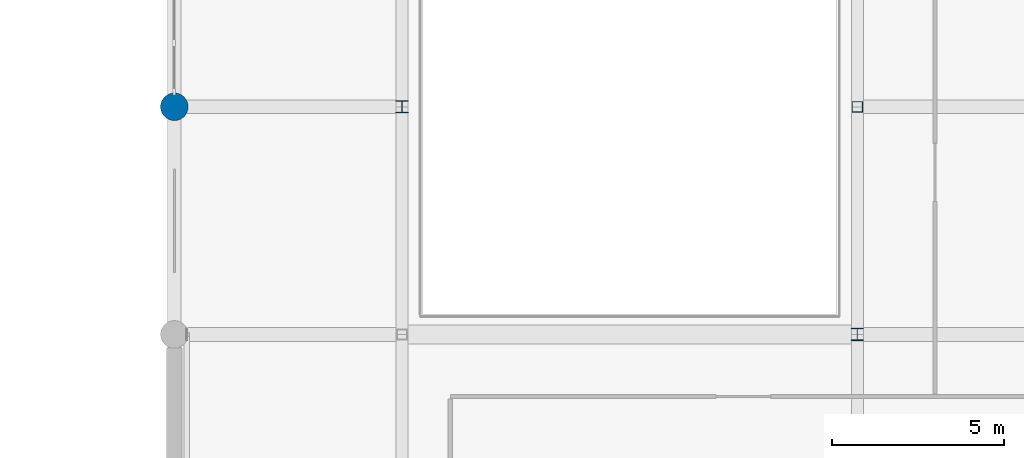
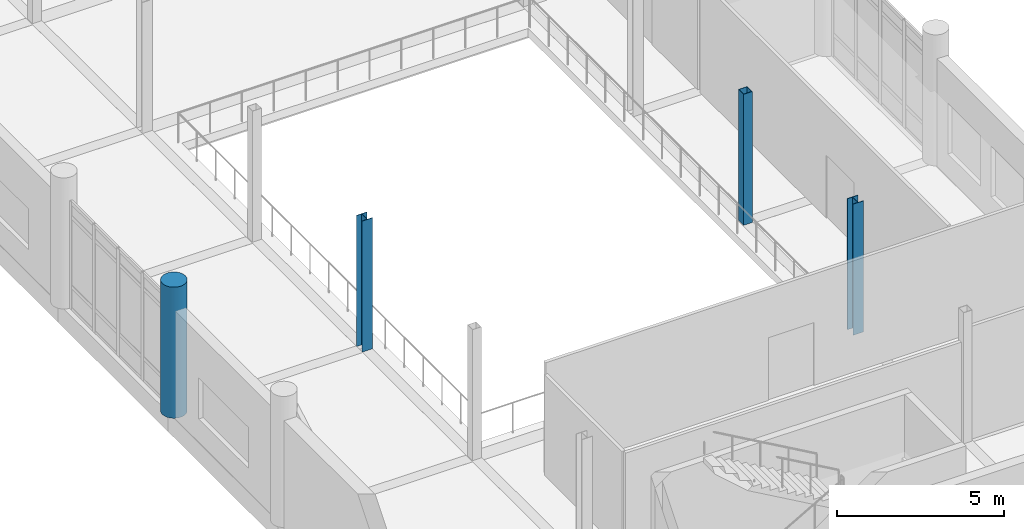
# One storey, part 3 of 101: 4 columns.
"""IFC4 building model written with IfcOpenShell, lengths in metres."""

from ifc_helpers import new_model, si_unit, direction, frame, origin, origin_2d, place, context, subcontext, project, spatial, hollow_rectangle, circle, i_section, extrude, material, material_profile, profile_set, type_object, element, save


model = new_model("IFC4")

# Units and contexts
model_context = context("Model", 3, precision=1e-05, world=origin(), true_north=direction((0.0, 1.0)))
body_context = subcontext(model_context, "Body", "Model", "MODEL_VIEW")
ifc_project = project(units=[si_unit("LENGTHUNIT", "METRE"), si_unit("AREAUNIT", "SQUARE_METRE"), si_unit("VOLUMEUNIT", "CUBIC_METRE"), si_unit("PLANEANGLEUNIT", "RADIAN"), si_unit("MASSUNIT", "GRAM", prefix="KILO")], contexts=[model_context])

# Site, building, storey
site_placement = place(None, origin())
site = spatial("IfcSite", under=ifc_project, at=site_placement, CompositionType="ELEMENT")
building_placement = place(site_placement, origin())
building = spatial("IfcBuilding", under=site, at=building_placement, Name="Dornvale Research Institute", CompositionType="ELEMENT")
storey_placement = place(building_placement, frame((0.0, 0.0, 10.199951171875)))
storey = spatial("IfcBuildingStorey", under=building, at=storey_placement, Name="L02", CompositionType="ELEMENT", Elevation=10.199951171875)

# Columns
ifc_material_1 = material(Name="Concrete f'c 45 MPa (C35/45)", Category="concrete")
ifc_material_profile_1 = material_profile(ifc_material_1, circle(Radius=0.39990234375, at=origin_2d()), Name="RC DIA 800")
ifc_profile_set_1 = profile_set([ifc_material_profile_1], Name="Concrete f'c 45 MPa (C35/45)")
column_type_1 = type_object("IfcColumnType", Name="Column_RCDia800_Ext", PredefinedType="COLUMN", material=ifc_profile_set_1)
column_1_placement = place(storey_placement, frame((39.60009765625, 59.39990234375, 0.0), z_axis=(0.0, 0.0, 1.0), x_axis=(1.0, 0.0, 0.0)))
element("IfcColumn", 1, at=column_1_placement, inside=storey, type_object=column_type_1, Name="L02 column #1085", PredefinedType="COLUMN", context=body_context, shape_type="SweptSolid", body=[
    extrude(circle(Radius=0.39990234375, at=origin_2d()), origin(), (0.0, 0.0, 1.0), 4.800048828125),
])
ifc_material_2 = material(Name="Steel ASTM A500 Grade C", Category="steel")
ifc_material_profile_2 = material_profile(ifc_material_2, hollow_rectangle(XDim=0.304931640625, YDim=0.304931640625, WallThickness=0.01171875, at=origin_2d()), Name="HSS305X305X12.7")
ifc_profile_set_2 = profile_set([ifc_material_profile_2], Name="Steel ASTM A500 Grade C")
column_type_2 = type_object("IfcColumnType", Name="Column_Steel_HSS305", PredefinedType="COLUMN", material=ifc_profile_set_2)
column_2_placement = place(storey_placement, frame((59.39990234375, 59.39990234375, 0.0), z_axis=(0.0, 0.0, 1.0), x_axis=(1.0, 0.0, 0.0)))
element("IfcColumn", 2, at=column_2_placement, inside=storey, type_object=column_type_2, Name="L02 column #1101", PredefinedType="COLUMN", context=body_context, shape_type="SweptSolid", body=[
    extrude(hollow_rectangle(XDim=0.304931640625, YDim=0.304931640625, WallThickness=0.01171875, at=origin_2d()), origin(), (0.0, 0.0, 1.0), 4.800048828125),
])
ifc_material_3 = material(Name="Steel ASTM A992 Grade 50", Category="steel")
ifc_material_profile_3 = material_profile(ifc_material_3, i_section(OverallWidth=0.35595703125, OverallDepth=0.35595703125, WebThickness=0.01123046875, FlangeThickness=0.01806640625, at=origin_2d()), Name="W14X90")
ifc_profile_set_3 = profile_set([ifc_material_profile_3], Name="Steel ASTM A992 Grade 50")
column_type_3 = type_object("IfcColumnType", Name="Column_Steel_W14X90", PredefinedType="COLUMN", material=ifc_profile_set_3)
for number, where, z_axis, x_axis, name in (
    (3, (46.199951171875, 59.39990234375, 0.0), (0.0, 0.0, 1.0), (1.0, 0.0, 0.0), "L02 column #1093"),
    (4, (59.39990234375, 52.800048828125, 0.0), (0.0, 0.0, 1.0), (1.0, 0.0, 0.0), "L02 column #1100"),
):
    element("IfcColumn", number, at=place(storey_placement, frame(where, z_axis=z_axis, x_axis=x_axis)), inside=storey, type_object=column_type_3, Name=name, PredefinedType="COLUMN", context=body_context, shape_type="SweptSolid", body=[
        extrude(i_section(OverallWidth=0.35595703125, OverallDepth=0.35595703125, WebThickness=0.01123046875, FlangeThickness=0.01806640625, at=origin_2d()), origin(), (0.0, 0.0, 1.0), 4.800048828125),
    ])

save(model, "model.ifc")
